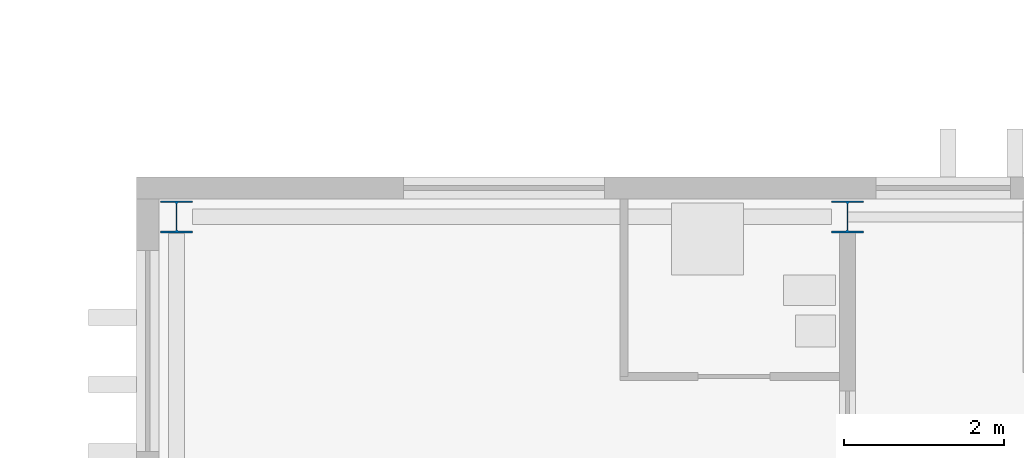
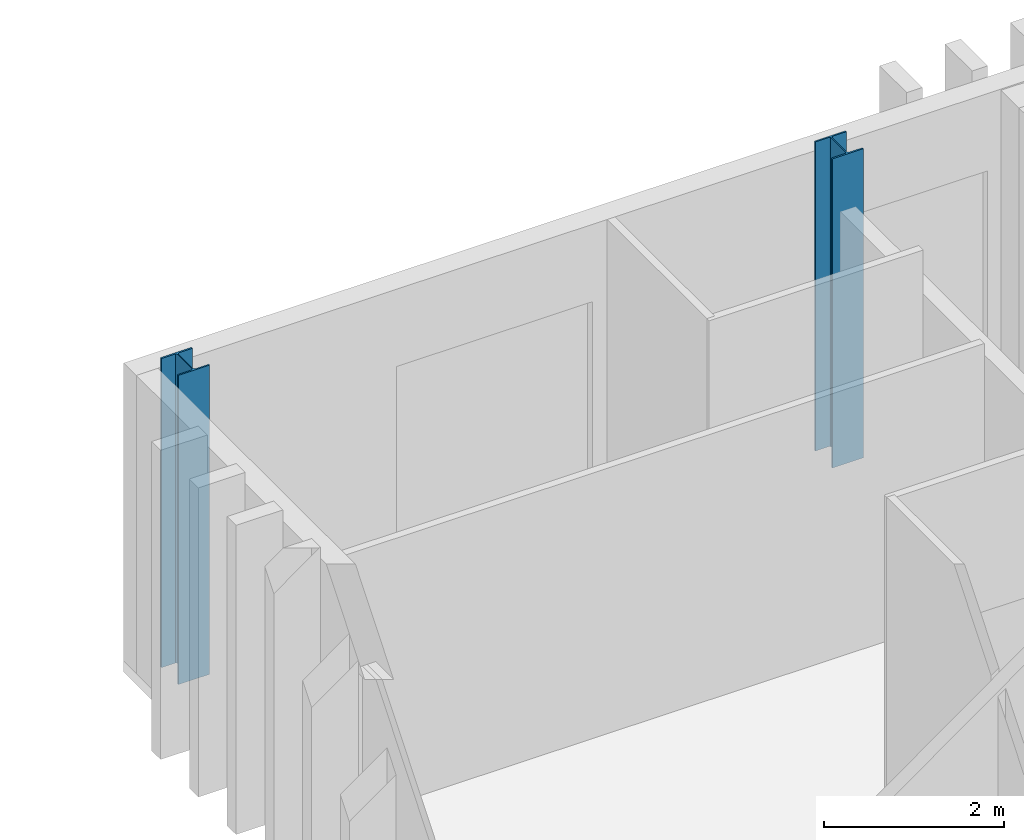
# One storey, part 6 of 21: 2 columns.
"""IFC4 building model written with IfcOpenShell, lengths in metres."""

from ifc_helpers import new_model, si_unit, direction, frame, origin, origin_2d, place, context, subcontext, project, spatial, i_section, extrude, material, material_profile, profile_set, type_object, element, save


model = new_model("IFC4")

# Units and contexts
model_context = context("Model", 3, precision=1e-05, world=origin(), true_north=direction((0.0, 1.0)))
body_context = subcontext(model_context, "Body", "Model", "MODEL_VIEW")
ifc_project = project(units=[si_unit("LENGTHUNIT", "METRE"), si_unit("AREAUNIT", "SQUARE_METRE"), si_unit("VOLUMEUNIT", "CUBIC_METRE"), si_unit("PLANEANGLEUNIT", "RADIAN"), si_unit("MASSUNIT", "GRAM", prefix="KILO")], contexts=[model_context])

# Site, building, storey
site_placement = place(None, origin())
site = spatial("IfcSite", under=ifc_project, at=site_placement, CompositionType="ELEMENT")
building_placement = place(site_placement, origin())
building = spatial("IfcBuilding", under=site, at=building_placement, Name="Cresset Court Congress Hotel", CompositionType="ELEMENT")
storey_placement = place(building_placement, frame((0.0, 0.0, 22.800048828125)))
storey = spatial("IfcBuildingStorey", under=building, at=storey_placement, Name="L05", CompositionType="ELEMENT", Elevation=22.800048828125)

# Columns
ifc_material = material(Name="Structural steel Q355B", Category="steel")
ifc_material_profile = material_profile(ifc_material, i_section(OverallWidth=0.39990234375, OverallDepth=0.39990234375, WebThickness=0.012939453125, FlangeThickness=0.02099609375, FilletRadius=0.02197265625, at=origin_2d()), Name="HW400x400x13x21")
ifc_profile_set = profile_set([ifc_material_profile], Name="Structural steel Q355B")
column_type = type_object("IfcColumnType", Name="Steel column HW400x400x13x21", PredefinedType="COLUMN", material=ifc_profile_set)
for number, where, z_axis, x_axis, name in (
    (1, (157.199951171875, 67.199951171875, 0.0), (0.0, 0.0, 1.0), (1.0, 0.0, 0.0), "Column L05 9-20"),
    (2, (165.60009765625, 67.199951171875, 0.0), (0.0, 0.0, 1.0), (1.0, 0.0, 0.0), "Column L05 9-21"),
):
    element("IfcColumn", number, at=place(storey_placement, frame(where, z_axis=z_axis, x_axis=x_axis)), inside=storey, type_object=column_type, Name=name, PredefinedType="COLUMN", context=body_context, shape_type="SweptSolid", body=[
        extrude(i_section(OverallWidth=0.39990234375, OverallDepth=0.39990234375, WebThickness=0.012939453125, FlangeThickness=0.02099609375, FilletRadius=0.02197265625, at=origin_2d()), origin(), (0.0, 0.0, 1.0), 4.199951171875),
    ])

save(model, "model.ifc")
